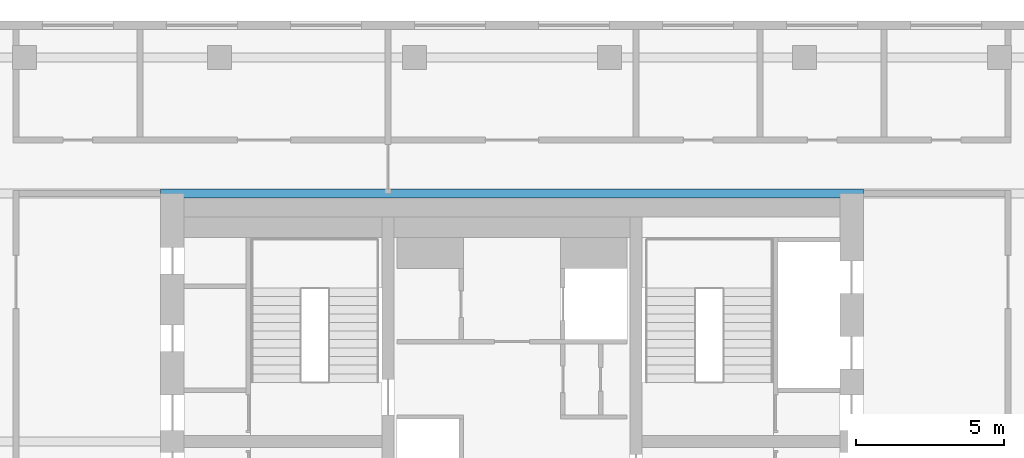
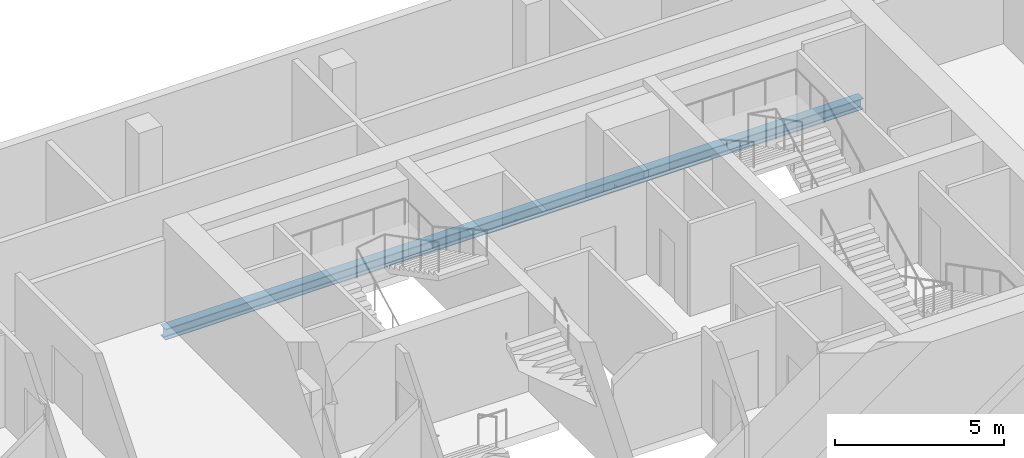
# One storey, part 9 of 21: 1 beam.
"""IFC4 building model written with IfcOpenShell, lengths in metres."""

from ifc_helpers import new_model, si_unit, direction, frame, origin, origin_2d, place, context, subcontext, project, spatial, i_section, extrude, material, material_profile, profile_set, type_object, element, save


model = new_model("IFC4")

# Units and contexts
model_context = context("Model", 3, precision=1e-05, world=origin(), true_north=direction((0.0, 1.0)))
body_context = subcontext(model_context, "Body", "Model", "MODEL_VIEW")
ifc_project = project(units=[si_unit("LENGTHUNIT", "METRE"), si_unit("AREAUNIT", "SQUARE_METRE"), si_unit("VOLUMEUNIT", "CUBIC_METRE"), si_unit("PLANEANGLEUNIT", "RADIAN"), si_unit("MASSUNIT", "GRAM", prefix="KILO")], contexts=[model_context])

# Site, building, storey
site_placement = place(None, origin())
site = spatial("IfcSite", under=ifc_project, at=site_placement, CompositionType="ELEMENT")
building_placement = place(site_placement, origin())
building = spatial("IfcBuilding", under=site, at=building_placement, Name="Marenta Gate Hotel Tower", CompositionType="ELEMENT")
storey_placement = place(building_placement, frame((0.0, 0.0, 245.300048828125)))
storey = spatial("IfcBuildingStorey", under=building, at=storey_placement, Name="L58", CompositionType="ELEMENT", Elevation=245.300048828125)

# Beam
ifc_material = material(Name="Steel S355", Category="steel")
ifc_material_profile = material_profile(ifc_material, i_section(OverallWidth=0.300048828125, OverallDepth=0.39990234375, WebThickness=0.013427734375, FlangeThickness=0.02392578125, FilletRadius=0.027099609375, at=origin_2d()), Name="HEB 400")
ifc_profile_set = profile_set([ifc_material_profile], Name="Steel S355")
beam_type = type_object("IfcBeamType", Name="Girder HEB 400", PredefinedType="BEAM", material=ifc_profile_set)
beam_placement = place(storey_placement, frame((-11.89990234375, 16.800048828125, -0.4599609375), z_axis=(1.0, 0.0, 0.0), x_axis=(0.0, 1.0, 0.0)))
element("IfcBeam", 1, at=beam_placement, inside=storey, type_object=beam_type, Name="L58-GD-31", PredefinedType="BEAM", context=body_context, shape_type="SweptSolid", body=[
    extrude(i_section(OverallWidth=0.300048828125, OverallDepth=0.39990234375, WebThickness=0.013427734375, FlangeThickness=0.02392578125, FilletRadius=0.027099609375, at=origin_2d()), origin(), (0.0, 0.0, 1.0), 23.7998046875),
])

save(model, "model.ifc")
